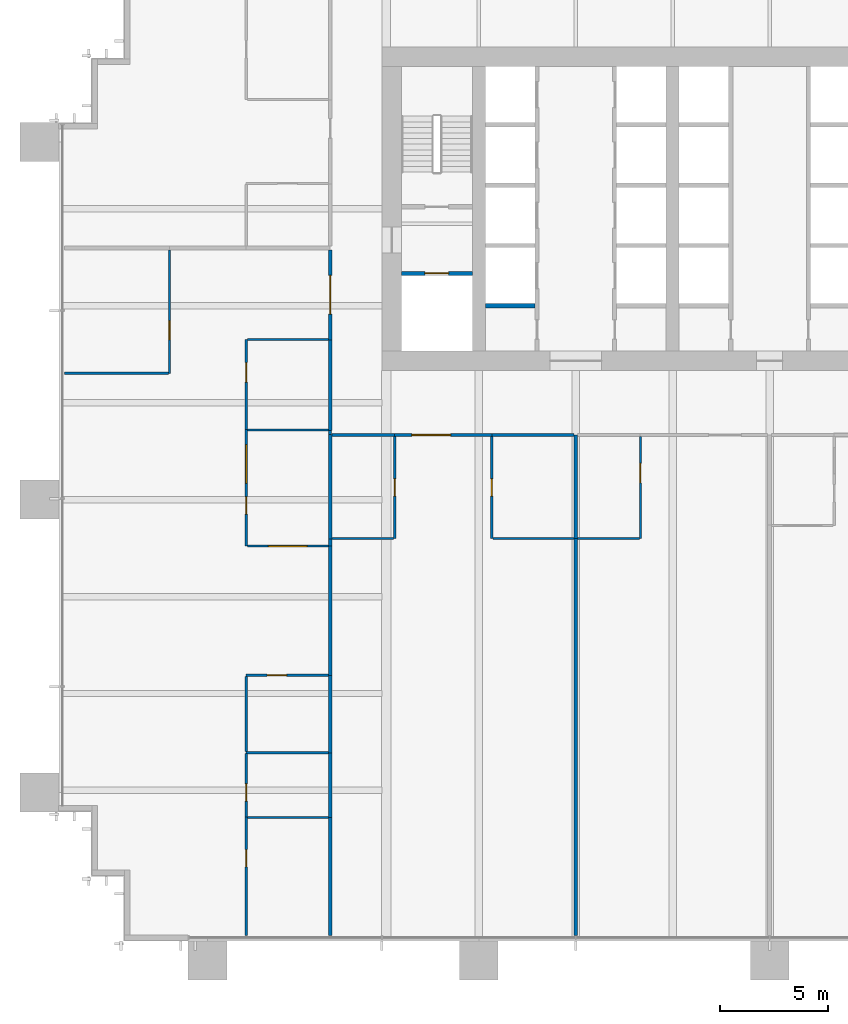
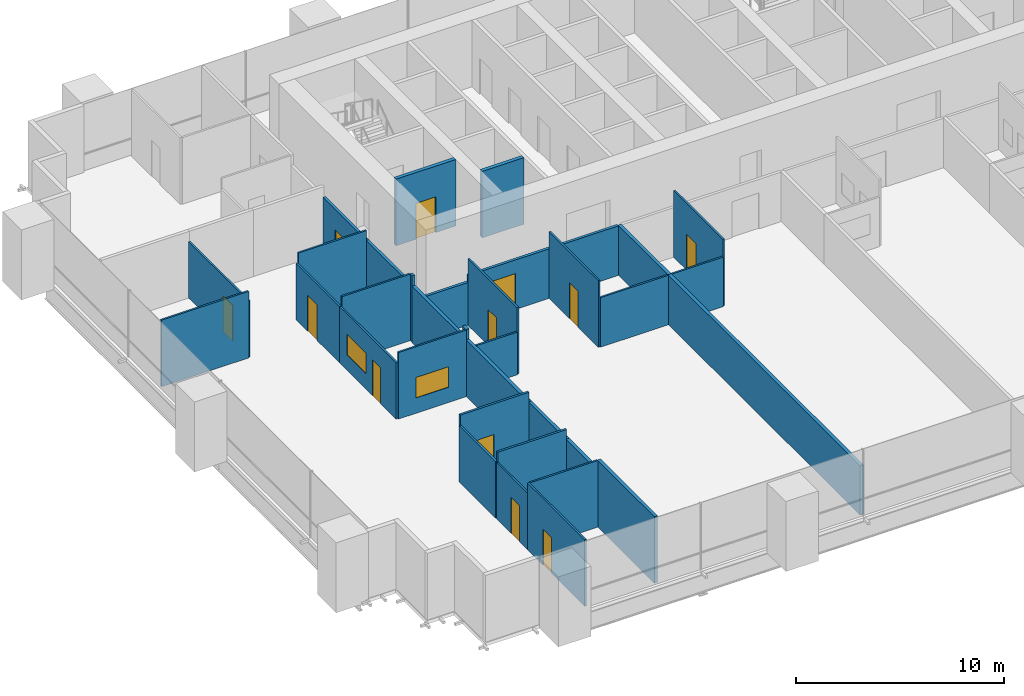
# One storey, part 11 of 18: 35 walls, 12 doors, 2 windows, 14 openings.
"""IFC4 building model written with IfcOpenShell, lengths in metres."""

from ifc_helpers import new_model, si_unit, direction, frame, frame_2d, origin, place, context, subcontext, project, spatial, rectangle, extrude, material, layer, layer_set, type_object, element, fill, save


model = new_model("IFC4")

# Units and contexts
model_context = context("Model", 3, precision=1e-05, world=origin(), true_north=direction((0.0, 1.0)))
body_context = subcontext(model_context, "Body", "Model", "MODEL_VIEW")
ifc_project = project(units=[si_unit("LENGTHUNIT", "METRE"), si_unit("AREAUNIT", "SQUARE_METRE"), si_unit("VOLUMEUNIT", "CUBIC_METRE"), si_unit("PLANEANGLEUNIT", "RADIAN"), si_unit("MASSUNIT", "GRAM", prefix="KILO")], contexts=[model_context])

# Site, building, storey
site_placement = place(None, origin())
site = spatial("IfcSite", under=ifc_project, at=site_placement, CompositionType="ELEMENT")
building_placement = place(site_placement, origin())
building = spatial("IfcBuilding", under=site, at=building_placement, Name="Rattan Terrace Tower", CompositionType="ELEMENT")
storey_placement = place(building_placement, frame((0.0, 0.0, 36.5)))
storey = spatial("IfcBuildingStorey", under=building, at=storey_placement, Name="L07", CompositionType="ELEMENT", Elevation=36.5)

# Wall, opening, door
ifc_material_1 = material(Name="Gypsum board partition")
ifc_layer_1 = layer(ifc_material_1, 0.199951171875)
ifc_layer_set_1 = layer_set([ifc_layer_1], Name="Core partition 200")
wall_type_1 = type_object("IfcWallType", Name="Core partition 200", PredefinedType="PARTITIONING", material=ifc_layer_set_1)
wall_1_placement = place(storey_placement, frame((-17.10009765625, -3.0, 0.0), z_axis=(0.0, 0.0, 1.0), x_axis=(1.0, 0.0, 0.0)))
wall_1 = element("IfcWall", 1, at=wall_1_placement, inside=storey, type_object=wall_type_1, Name="Fire-fighting lobby wall", PredefinedType="PARTITIONING", context=body_context, shape_type="SweptSolid", body=[
    extrude(rectangle(XDim=3.300048828125, YDim=0.199951171875, at=frame_2d((1.64990234375, 0.0))), origin(), (0.0, 0.0, 1.0), 3.89990234375),
])
opening_1_placement = place(wall_1_placement, frame((1.10009765625, 0.0, 0.0)))
opening_1 = element("IfcOpeningElement", 2, at=opening_1_placement, cuts=wall_1, Name="Opening L07-LD-FF1", PredefinedType="OPENING", context=body_context, shape_type="SweptSolid", body=[
    extrude(rectangle(XDim=1.10009765625, YDim=2.10009765625, at=frame_2d((0.550048828125, 1.050048828125))), frame((0.0, 0.110595703125, 0.0), z_axis=(0.0, -1.0, 0.0), x_axis=(1.0, 0.0, 0.0)), (0.0, 0.0, 1.0), 0.220947265625),
])
ifc_material_2 = material(Name="Brushed stainless landing door panel")
door_type_1 = type_object("IfcDoorType", Name="Core lift landing door 1100", OperationType="DOUBLE_DOOR_SLIDING", PredefinedType="DOOR", material=ifc_material_2)
door_1_placement = place(opening_1_placement, origin())
door_1 = element("IfcDoor", 3, at=door_1_placement, inside=storey, type_object=door_type_1, Name="Door L07-LD-FF1", OperationType="DOUBLE_DOOR_SLIDING", OverallHeight=2.10009765625, OverallWidth=1.10009765625, PredefinedType="DOOR", context=body_context, shape_type="SweptSolid", body=[
    extrude(rectangle(XDim=1.10009765625, YDim=2.10009765625, at=frame_2d((0.550048828125, 1.050048828125))), frame((0.0, 0.02490234375, 0.0), z_axis=(0.0, -1.0, 0.0), x_axis=(1.0, 0.0, 0.0)), (0.0, 0.0, 1.0), 0.050048828125),
])
fill(opening_1, door_1)

# Walls
ifc_material_3 = material(Name="Double steel stud acoustic partition, gypsum board, mineral wool, fire rated", Category="steel")
ifc_layer_2 = layer(ifc_material_3, 0.179931640625)
ifc_layer_set_2 = layer_set([ifc_layer_2], Name="Floors Acoustic Party Wall 180")
wall_type_2 = type_object("IfcWallType", Name="Floors Acoustic Party Wall 180", PredefinedType="PARTITIONING", material=ifc_layer_set_2)
wall_2_placement = place(storey_placement, frame((-20.39990234375, -15.659912109375, 0.0), z_axis=(0.0, 0.0, 1.0), x_axis=(0.0, -1.0, 0.0)))
element("IfcWall", 4, at=wall_2_placement, inside=storey, type_object=wall_type_2, Name="pt-L07-034", PredefinedType="PARTITIONING", context=body_context, shape_type="SweptSolid", body=[
    extrude(rectangle(XDim=6.0, YDim=0.179931640625, at=frame_2d((3.0, 0.0))), origin(), (0.0, 0.0, 1.0), 3.300048828125),
])
wall_3_placement = place(storey_placement, frame((-20.39990234375, -28.260009765625, 0.0), z_axis=(0.0, 0.0, 1.0), x_axis=(0.0, -1.0, 0.0)))
element("IfcWall", 5, at=wall_3_placement, inside=storey, type_object=wall_type_2, Name="pt-L07-037", PredefinedType="PARTITIONING", context=body_context, shape_type="SweptSolid", body=[
    extrude(rectangle(XDim=5.47998046875, YDim=0.179931640625, at=frame_2d((2.739990234375, 0.0))), origin(), (0.0, 0.0, 1.0), 3.89990234375),
])
wall_4_placement = place(storey_placement, frame((-20.39990234375, -25.260009765625, 0.0), z_axis=(0.0, 0.0, 1.0), x_axis=(0.0, -1.0, 0.0)))
element("IfcWall", 6, at=wall_4_placement, inside=storey, type_object=wall_type_2, Name="pt-L07-039", PredefinedType="PARTITIONING", context=body_context, shape_type="SweptSolid", body=[
    extrude(rectangle(XDim=3.0, YDim=0.179931640625, at=frame_2d((1.5, 0.0))), origin(), (0.0, 0.0, 1.0), 3.300048828125),
])
wall_5_placement = place(storey_placement, frame((-20.39990234375, -21.659912109375, 0.0), z_axis=(0.0, 0.0, 1.0), x_axis=(0.0, -1.0, 0.0)))
element("IfcWall", 7, at=wall_5_placement, inside=storey, type_object=wall_type_2, Name="pt-L07-040", PredefinedType="PARTITIONING", context=body_context, shape_type="SweptSolid", body=[
    extrude(rectangle(XDim=3.60009765625, YDim=0.179931640625, at=frame_2d((1.800048828125, 0.0))), origin(), (0.0, 0.0, 1.0), 3.300048828125),
])
wall_6_placement = place(storey_placement, frame((-20.39990234375, -15.320068359375, 0.0), z_axis=(0.0, 0.0, 1.0), x_axis=(0.0, -1.0, 0.0)))
element("IfcWall", 8, at=wall_6_placement, inside=storey, type_object=wall_type_2, Name="pt-L07-042", PredefinedType="PARTITIONING", context=body_context, shape_type="SweptSolid", body=[
    extrude(rectangle(XDim=0.33984375, YDim=0.179931640625, at=frame_2d((0.169921875, 0.0))), origin(), (0.0, 0.0, 1.0), 3.89990234375),
])
wall_7_placement = place(storey_placement, frame((-20.39990234375, -10.47998046875, 0.0), z_axis=(0.0, 0.0, 1.0), x_axis=(0.0, -1.0, 0.0)))
element("IfcWall", 9, at=wall_7_placement, inside=storey, type_object=wall_type_2, Name="pt-L07-043", PredefinedType="PARTITIONING", context=body_context, shape_type="SweptSolid", body=[
    extrude(rectangle(XDim=4.840087890625, YDim=0.179931640625, at=frame_2d((2.419921875, 0.0))), origin(), (0.0, 0.0, 1.0), 3.300048828125),
])
wall_8_placement = place(storey_placement, frame((-9.0, -15.300048828125, 0.0), z_axis=(0.0, 0.0, 1.0), x_axis=(0.0, -1.0, 0.0)))
element("IfcWall", 10, at=wall_8_placement, inside=storey, type_object=wall_type_2, Name="pt-L07-052", PredefinedType="PARTITIONING", context=body_context, shape_type="SweptSolid", body=[
    extrude(rectangle(XDim=18.43994140625, YDim=0.179931640625, at=frame_2d((9.219970703125, 0.0))), origin(), (0.0, 0.0, 1.0), 2.89990234375),
])
wall_9_placement = place(storey_placement, frame((-9.0, -10.5, 0.0), z_axis=(0.0, 0.0, 1.0), x_axis=(0.0, -1.0, 0.0)))
element("IfcWall", 11, at=wall_9_placement, inside=storey, type_object=wall_type_2, Name="pt-L07-053", PredefinedType="PARTITIONING", context=body_context, shape_type="SweptSolid", body=[
    extrude(rectangle(XDim=4.800048828125, YDim=0.179931640625, at=frame_2d((2.39990234375, 0.0))), origin(), (0.0, 0.0, 1.0), 2.89990234375),
])
ifc_material_4 = material(Name="Gypsum board partition on steel studs", Category="steel")
ifc_layer_3 = layer(ifc_material_4, 0.10009765625)
ifc_layer_set_3 = layer_set([ifc_layer_3], Name="Floors Partition 100")
wall_type_3 = type_object("IfcWallType", Name="Floors Partition 100", PredefinedType="PARTITIONING", material=ifc_layer_set_3)
wall_10_placement = place(storey_placement, frame((-32.739990234375, -7.635986328125, 0.0), z_axis=(0.0, 0.0, 1.0), x_axis=(1.0, 0.0, 0.0)))
element("IfcWall", 12, at=wall_10_placement, inside=storey, type_object=wall_type_3, Name="pt-L07-022", PredefinedType="PARTITIONING", context=body_context, shape_type="SweptSolid", body=[
    extrude(rectangle(XDim=4.830078125, YDim=0.10009765625, at=frame_2d((2.4150390625, 0.0))), origin(), (0.0, 0.0, 1.0), 3.89990234375),
])

# Wall, opening, door
wall_11_placement = place(storey_placement, frame((-27.860107421875, -7.635986328125, 0.0), z_axis=(0.0, 0.0, 1.0), x_axis=(0.0, 1.0, 0.0)))
wall_11 = element("IfcWall", 13, at=wall_11_placement, inside=storey, type_object=wall_type_3, Name="pt-L07-023", PredefinedType="PARTITIONING", context=body_context, shape_type="SweptSolid", body=[
    extrude(rectangle(XDim=5.72802734375, YDim=0.10009765625, at=frame_2d((2.864013671875, 0.0))), origin(), (0.0, 0.0, 1.0), 3.300048828125),
])
opening_2_placement = place(wall_11_placement, frame((1.548095703125, 0.0, 0.0)))
opening_2 = element("IfcOpeningElement", 14, at=opening_2_placement, cuts=wall_11, Name="Opening L07-D101", PredefinedType="OPENING", context=body_context, shape_type="SweptSolid", body=[
    extrude(rectangle(XDim=0.89990234375, YDim=2.10009765625, at=frame_2d((0.449951171875, 1.050048828125))), frame((0.0, 0.060546875, 0.0), z_axis=(0.0, -1.0, 0.0), x_axis=(1.0, 0.0, 0.0)), (0.0, 0.0, 1.0), 0.12109375),
])
ifc_material_5 = material(Name="Solid core timber door, painted", Category="wood")
door_type_2 = type_object("IfcDoorType", Name="Floors Door 900x2100", OperationType="NOTDEFINED", PredefinedType="DOOR", material=ifc_material_5)
door_2_placement = place(opening_2_placement, origin())
door_2 = element("IfcDoor", 15, at=door_2_placement, inside=storey, type_object=door_type_2, Name="d-L07-101", OperationType="SINGLE_SWING_LEFT", OverallHeight=2.10009765625, OverallWidth=0.89990234375, PredefinedType="DOOR", context=body_context, shape_type="SweptSolid", body=[
    extrude(rectangle(XDim=0.89990234375, YDim=2.10009765625, at=frame_2d((0.449951171875, 1.050048828125))), frame((0.0, 0.02490234375, 0.0), z_axis=(0.0, -1.0, 0.0), x_axis=(1.0, 0.0, 0.0)), (0.0, 0.0, 1.0), 0.050048828125),
])
fill(opening_2, door_2)

wall_12_placement = place(storey_placement, frame((-24.300048828125, -28.239990234375, 0.0), z_axis=(0.0, 0.0, 1.0), x_axis=(0.0, -1.0, 0.0)))
wall_12 = element("IfcWall", 16, at=wall_12_placement, inside=storey, type_object=wall_type_3, Name="pt-L07-024", PredefinedType="PARTITIONING", context=body_context, shape_type="SweptSolid", body=[
    extrude(rectangle(XDim=5.5, YDim=0.10009765625, at=frame_2d((2.75, 0.0))), origin(), (0.0, 0.0, 1.0), 3.89990234375),
])
opening_3_placement = place(wall_12_placement, frame((1.510009765625, 0.0, 0.0)))
opening_3 = element("IfcOpeningElement", 17, at=opening_3_placement, cuts=wall_12, Name="Opening L07-D102", PredefinedType="OPENING", context=body_context, shape_type="SweptSolid", body=[
    extrude(rectangle(XDim=0.800048828125, YDim=2.10009765625, at=frame_2d((0.39990234375, 1.050048828125))), frame((0.0, 0.060546875, 0.0), z_axis=(0.0, -1.0, 0.0), x_axis=(1.0, 0.0, 0.0)), (0.0, 0.0, 1.0), 0.12109375),
])
ifc_material_6 = material(Name="Solid core timber door, painted", Category="wood")
door_type_3 = type_object("IfcDoorType", Name="Floors Store Door 800x2100", OperationType="NOTDEFINED", PredefinedType="DOOR", material=ifc_material_6)
door_3_placement = place(opening_3_placement, origin())
door_3 = element("IfcDoor", 18, at=door_3_placement, inside=storey, type_object=door_type_3, Name="d-L07-102", OperationType="SINGLE_SWING_LEFT", OverallHeight=2.10009765625, OverallWidth=0.800048828125, PredefinedType="DOOR", context=body_context, shape_type="SweptSolid", body=[
    extrude(rectangle(XDim=0.800048828125, YDim=2.10009765625, at=frame_2d((0.39990234375, 1.050048828125))), frame((0.0, 0.02490234375, 0.0), z_axis=(0.0, -1.0, 0.0), x_axis=(1.0, 0.0, 0.0)), (0.0, 0.0, 1.0), 0.050048828125),
])
fill(opening_3, door_3)

wall_13_placement = place(storey_placement, frame((-24.300048828125, -25.280029296875, 0.0), z_axis=(0.0, 0.0, 1.0), x_axis=(0.0, -1.0, 0.0)))
wall_13 = element("IfcWall", 19, at=wall_13_placement, inside=storey, type_object=wall_type_3, Name="pt-L07-025", PredefinedType="PARTITIONING", context=body_context, shape_type="SweptSolid", body=[
    extrude(rectangle(XDim=2.9599609375, YDim=0.10009765625, at=frame_2d((1.47998046875, 0.0))), origin(), (0.0, 0.0, 1.0), 3.300048828125),
])
opening_4_placement = place(wall_13_placement, frame((1.412109375, 0.0, 0.0)))
opening_4 = element("IfcOpeningElement", 20, at=opening_4_placement, cuts=wall_13, Name="Opening L07-D103", PredefinedType="OPENING", context=body_context, shape_type="SweptSolid", body=[
    extrude(rectangle(XDim=0.800048828125, YDim=2.10009765625, at=frame_2d((0.39990234375, 1.050048828125))), frame((0.0, 0.060546875, 0.0), z_axis=(0.0, -1.0, 0.0), x_axis=(1.0, 0.0, 0.0)), (0.0, 0.0, 1.0), 0.12109375),
])
door_4_placement = place(opening_4_placement, origin())
door_4 = element("IfcDoor", 21, at=door_4_placement, inside=storey, type_object=door_type_3, Name="d-L07-103", OperationType="SINGLE_SWING_RIGHT", OverallHeight=2.10009765625, OverallWidth=0.800048828125, PredefinedType="DOOR", context=body_context, shape_type="SweptSolid", body=[
    extrude(rectangle(XDim=0.800048828125, YDim=2.10009765625, at=frame_2d((0.39990234375, 1.050048828125))), frame((0.0, 0.02490234375, 0.0), z_axis=(0.0, -1.0, 0.0), x_axis=(1.0, 0.0, 0.0)), (0.0, 0.0, 1.0), 0.050048828125),
])
fill(opening_4, door_4)

# Wall, openings, door, window
wall_14_placement = place(storey_placement, frame((-24.300048828125, -10.239990234375, 0.0), z_axis=(0.0, 0.0, 1.0), x_axis=(0.0, -1.0, 0.0)))
wall_14 = element("IfcWall", 22, at=wall_14_placement, inside=storey, type_object=wall_type_3, Name="pt-L07-028", PredefinedType="PARTITIONING", context=body_context, shape_type="SweptSolid", body=[
    extrude(rectangle(XDim=5.419921875, YDim=0.10009765625, at=frame_2d((2.7099609375, 0.0))), origin(), (0.0, 0.0, 1.0), 3.300048828125),
])
opening_5_placement = place(wall_14_placement, frame((3.134033203125, 0.0, 0.0)))
opening_5 = element("IfcOpeningElement", 23, at=opening_5_placement, cuts=wall_14, Name="Opening L07-D105", PredefinedType="OPENING", context=body_context, shape_type="SweptSolid", body=[
    extrude(rectangle(XDim=0.800048828125, YDim=2.10009765625, at=frame_2d((0.39990234375, 1.050048828125))), frame((0.0, 0.060546875, 0.0), z_axis=(0.0, -1.0, 0.0), x_axis=(1.0, 0.0, 0.0)), (0.0, 0.0, 1.0), 0.12109375),
])
opening_6_placement = place(wall_14_placement, frame((0.701904296875, 0.0, 0.89990234375)))
opening_6 = element("IfcOpeningElement", 24, at=opening_6_placement, cuts=wall_14, Name="Opening L07-W100", PredefinedType="OPENING", context=body_context, shape_type="SweptSolid", body=[
    extrude(rectangle(XDim=1.800048828125, YDim=1.199951171875, at=frame_2d((0.89990234375, 0.60009765625))), frame((0.0, 0.060546875, 0.0), z_axis=(0.0, -1.0, 0.0), x_axis=(1.0, 0.0, 0.0)), (0.0, 0.0, 1.0), 0.12109375),
])
door_5_placement = place(opening_5_placement, origin())
door_5 = element("IfcDoor", 25, at=door_5_placement, inside=storey, type_object=door_type_3, Name="d-L07-105", OperationType="SINGLE_SWING_RIGHT", OverallHeight=2.10009765625, OverallWidth=0.800048828125, PredefinedType="DOOR", context=body_context, shape_type="SweptSolid", body=[
    extrude(rectangle(XDim=0.800048828125, YDim=2.10009765625, at=frame_2d((0.39990234375, 1.050048828125))), frame((0.0, 0.02490234375, 0.0), z_axis=(0.0, -1.0, 0.0), x_axis=(1.0, 0.0, 0.0)), (0.0, 0.0, 1.0), 0.050048828125),
])
fill(opening_5, door_5)
ifc_material_7 = material(Name="Glass, clear, fixed in aluminium frame", Category="aluminium")
window_type = type_object("IfcWindowType", Name="Interior Vision Window 1800x1200", PartitioningType="SINGLE_PANEL", PredefinedType="WINDOW", material=ifc_material_7)
window_1_placement = place(opening_6_placement, origin())
window_1 = element("IfcWindow", 26, at=window_1_placement, inside=storey, type_object=window_type, Name="w-L07-100", OverallHeight=1.199951171875, OverallWidth=1.800048828125, PartitioningType="SINGLE_PANEL", PredefinedType="WINDOW", context=body_context, shape_type="SweptSolid", body=[
    extrude(rectangle(XDim=1.800048828125, YDim=1.199951171875, at=frame_2d((0.89990234375, 0.60009765625))), frame((0.0, 0.030029296875, 0.0), z_axis=(0.0, -1.0, 0.0), x_axis=(1.0, 0.0, 0.0)), (0.0, 0.0, 1.0), 0.06005859375),
])
fill(opening_6, window_1)

# Wall, opening, window
wall_15_placement = place(storey_placement, frame((-24.25, -15.659912109375, 0.0), z_axis=(0.0, 0.0, 1.0), x_axis=(1.0, 0.0, 0.0)))
wall_15 = element("IfcWall", 27, at=wall_15_placement, inside=storey, type_object=wall_type_3, Name="pt-L07-029", PredefinedType="PARTITIONING", context=body_context, shape_type="SweptSolid", body=[
    extrude(rectangle(XDim=3.760009765625, YDim=0.10009765625, at=frame_2d((1.8798828125, 0.0))), origin(), (0.0, 0.0, 1.0), 3.89990234375),
])
opening_7_placement = place(wall_15_placement, frame((0.97998046875, 0.0, 0.89990234375)))
opening_7 = element("IfcOpeningElement", 28, at=opening_7_placement, cuts=wall_15, Name="Opening L07-W101", PredefinedType="OPENING", context=body_context, shape_type="SweptSolid", body=[
    extrude(rectangle(XDim=1.800048828125, YDim=1.199951171875, at=frame_2d((0.89990234375, 0.60009765625))), frame((0.0, 0.060546875, 0.0), z_axis=(0.0, -1.0, 0.0), x_axis=(1.0, 0.0, 0.0)), (0.0, 0.0, 1.0), 0.12109375),
])
window_2_placement = place(opening_7_placement, origin())
window_2 = element("IfcWindow", 29, at=window_2_placement, inside=storey, type_object=window_type, Name="w-L07-101", OverallHeight=1.199951171875, OverallWidth=1.800048828125, PartitioningType="SINGLE_PANEL", PredefinedType="WINDOW", context=body_context, shape_type="SweptSolid", body=[
    extrude(rectangle(XDim=1.800048828125, YDim=1.199951171875, at=frame_2d((0.89990234375, 0.60009765625))), frame((0.0, 0.030029296875, 0.0), z_axis=(0.0, -1.0, 0.0), x_axis=(1.0, 0.0, 0.0)), (0.0, 0.0, 1.0), 0.06005859375),
])
fill(opening_7, window_2)

# Wall, opening, door
wall_16_placement = place(storey_placement, frame((-24.300048828125, -6.06005859375, 0.0), z_axis=(0.0, 0.0, 1.0), x_axis=(0.0, -1.0, 0.0)))
wall_16 = element("IfcWall", 30, at=wall_16_placement, inside=storey, type_object=wall_type_3, Name="pt-L07-030", PredefinedType="PARTITIONING", context=body_context, shape_type="SweptSolid", body=[
    extrude(rectangle(XDim=4.179931640625, YDim=0.10009765625, at=frame_2d((2.08984375, 0.0))), origin(), (0.0, 0.0, 1.0), 3.300048828125),
])
opening_8_placement = place(wall_16_placement, frame((1.083984375, 0.0, 0.0)))
opening_8 = element("IfcOpeningElement", 31, at=opening_8_placement, cuts=wall_16, Name="Opening L07-D106", PredefinedType="OPENING", context=body_context, shape_type="SweptSolid", body=[
    extrude(rectangle(XDim=0.89990234375, YDim=2.10009765625, at=frame_2d((0.449951171875, 1.050048828125))), frame((0.0, 0.060546875, 0.0), z_axis=(0.0, -1.0, 0.0), x_axis=(1.0, 0.0, 0.0)), (0.0, 0.0, 1.0), 0.12109375),
])
door_6_placement = place(opening_8_placement, origin())
door_6 = element("IfcDoor", 32, at=door_6_placement, inside=storey, type_object=door_type_2, Name="d-L07-106", OperationType="SINGLE_SWING_LEFT", OverallHeight=2.10009765625, OverallWidth=0.89990234375, PredefinedType="DOOR", context=body_context, shape_type="SweptSolid", body=[
    extrude(rectangle(XDim=0.89990234375, YDim=2.10009765625, at=frame_2d((0.449951171875, 1.050048828125))), frame((0.0, 0.02490234375, 0.0), z_axis=(0.0, -1.0, 0.0), x_axis=(1.0, 0.0, 0.0)), (0.0, 0.0, 1.0), 0.050048828125),
])
fill(opening_8, door_6)

# Walls
wall_17_placement = place(storey_placement, frame((-20.47509765625, -6.06005859375, 0.0), z_axis=(0.0, 0.0, 1.0), x_axis=(-1.0, 0.0, 0.0)))
element("IfcWall", 33, at=wall_17_placement, inside=storey, type_object=wall_type_3, Name="pt-L07-031", PredefinedType="PARTITIONING", context=body_context, shape_type="SweptSolid", body=[
    extrude(rectangle(XDim=3.77490234375, YDim=0.10009765625, at=frame_2d((1.887451171875, 0.0))), origin(), (0.0, 0.0, 1.0), 3.89990234375),
])
wall_18_placement = place(storey_placement, frame((-24.25, -28.260009765625, 0.0), z_axis=(0.0, 0.0, 1.0), x_axis=(1.0, 0.0, 0.0)))
element("IfcWall", 34, at=wall_18_placement, inside=storey, type_object=wall_type_3, Name="pt-L07-036", PredefinedType="PARTITIONING", context=body_context, shape_type="SweptSolid", body=[
    extrude(rectangle(XDim=3.760009765625, YDim=0.10009765625, at=frame_2d((1.8798828125, 0.0))), origin(), (0.0, 0.0, 1.0), 3.89990234375),
])
wall_19_placement = place(storey_placement, frame((-24.25, -10.260009765625, 0.0), z_axis=(0.0, 0.0, 1.0), x_axis=(1.0, 0.0, 0.0)))
element("IfcWall", 35, at=wall_19_placement, inside=storey, type_object=wall_type_3, Name="pt-L07-041", PredefinedType="PARTITIONING", context=body_context, shape_type="SweptSolid", body=[
    extrude(rectangle(XDim=3.77490234375, YDim=0.10009765625, at=frame_2d((1.887451171875, 0.0))), origin(), (0.0, 0.0, 1.0), 3.89990234375),
])
wall_20_placement = place(storey_placement, frame((-20.31005859375, -15.300048828125, 0.0), z_axis=(0.0, 0.0, 1.0), x_axis=(1.0, 0.0, 0.0)))
element("IfcWall", 36, at=wall_20_placement, inside=storey, type_object=wall_type_3, Name="pt-L07-048", PredefinedType="PARTITIONING", context=body_context, shape_type="SweptSolid", body=[
    extrude(rectangle(XDim=2.860107421875, YDim=0.10009765625, at=frame_2d((1.43017578125, 0.0))), origin(), (0.0, 0.0, 1.0), 2.5),
])

# Wall, opening, door
wall_21_placement = place(storey_placement, frame((-17.39990234375, -15.300048828125, 0.0), z_axis=(0.0, 0.0, 1.0), x_axis=(0.0, 1.0, 0.0)))
wall_21 = element("IfcWall", 37, at=wall_21_placement, inside=storey, type_object=wall_type_3, Name="pt-L07-049", PredefinedType="PARTITIONING", context=body_context, shape_type="SweptSolid", body=[
    extrude(rectangle(XDim=4.72509765625, YDim=0.10009765625, at=frame_2d((2.362548828125, 0.0))), origin(), (0.0, 0.0, 1.0), 3.89990234375),
])
opening_9_placement = place(wall_21_placement, frame((1.962890625, 0.0, 0.0)))
opening_9 = element("IfcOpeningElement", 38, at=opening_9_placement, cuts=wall_21, Name="Opening L07-D111", PredefinedType="OPENING", context=body_context, shape_type="SweptSolid", body=[
    extrude(rectangle(XDim=0.800048828125, YDim=2.10009765625, at=frame_2d((0.39990234375, 1.050048828125))), frame((0.0, 0.060546875, 0.0), z_axis=(0.0, -1.0, 0.0), x_axis=(1.0, 0.0, 0.0)), (0.0, 0.0, 1.0), 0.12109375),
])
door_7_placement = place(opening_9_placement, origin())
door_7 = element("IfcDoor", 39, at=door_7_placement, inside=storey, type_object=door_type_3, Name="d-L07-111", OperationType="SINGLE_SWING_RIGHT", OverallHeight=2.10009765625, OverallWidth=0.800048828125, PredefinedType="DOOR", context=body_context, shape_type="SweptSolid", body=[
    extrude(rectangle(XDim=0.800048828125, YDim=2.10009765625, at=frame_2d((0.39990234375, 1.050048828125))), frame((0.0, 0.02490234375, 0.0), z_axis=(0.0, -1.0, 0.0), x_axis=(1.0, 0.0, 0.0)), (0.0, 0.0, 1.0), 0.050048828125),
])
fill(opening_9, door_7)

wall_22_placement = place(storey_placement, frame((-12.89990234375, -10.574951171875, 0.0), z_axis=(0.0, 0.0, 1.0), x_axis=(0.0, -1.0, 0.0)))
wall_22 = element("IfcWall", 40, at=wall_22_placement, inside=storey, type_object=wall_type_3, Name="pt-L07-050", PredefinedType="PARTITIONING", context=body_context, shape_type="SweptSolid", body=[
    extrude(rectangle(XDim=4.72509765625, YDim=0.10009765625, at=frame_2d((2.362548828125, 0.0))), origin(), (0.0, 0.0, 1.0), 3.89990234375),
])
opening_10_placement = place(wall_22_placement, frame((1.962890625, 0.0, 0.0)))
opening_10 = element("IfcOpeningElement", 41, at=opening_10_placement, cuts=wall_22, Name="Opening L07-D112", PredefinedType="OPENING", context=body_context, shape_type="SweptSolid", body=[
    extrude(rectangle(XDim=0.800048828125, YDim=2.10009765625, at=frame_2d((0.39990234375, 1.050048828125))), frame((0.0, 0.060546875, 0.0), z_axis=(0.0, -1.0, 0.0), x_axis=(1.0, 0.0, 0.0)), (0.0, 0.0, 1.0), 0.12109375),
])
door_8_placement = place(opening_10_placement, origin())
door_8 = element("IfcDoor", 42, at=door_8_placement, inside=storey, type_object=door_type_3, Name="d-L07-112", OperationType="SINGLE_SWING_LEFT", OverallHeight=2.10009765625, OverallWidth=0.800048828125, PredefinedType="DOOR", context=body_context, shape_type="SweptSolid", body=[
    extrude(rectangle(XDim=0.800048828125, YDim=2.10009765625, at=frame_2d((0.39990234375, 1.050048828125))), frame((0.0, 0.02490234375, 0.0), z_axis=(0.0, -1.0, 0.0), x_axis=(1.0, 0.0, 0.0)), (0.0, 0.0, 1.0), 0.050048828125),
])
fill(opening_10, door_8)

# Walls
wall_23_placement = place(storey_placement, frame((-12.85009765625, -15.300048828125, 0.0), z_axis=(0.0, 0.0, 1.0), x_axis=(1.0, 0.0, 0.0)))
element("IfcWall", 43, at=wall_23_placement, inside=storey, type_object=wall_type_3, Name="pt-L07-051", PredefinedType="PARTITIONING", context=body_context, shape_type="SweptSolid", body=[
    extrude(rectangle(XDim=3.760009765625, YDim=0.10009765625, at=frame_2d((1.8798828125, 0.0))), origin(), (0.0, 0.0, 1.0), 2.89990234375),
])
wall_24_placement = place(storey_placement, frame((-8.909912109375, -15.300048828125, 0.0), z_axis=(0.0, 0.0, 1.0), x_axis=(1.0, 0.0, 0.0)))
element("IfcWall", 44, at=wall_24_placement, inside=storey, type_object=wall_type_3, Name="pt-L07-054", PredefinedType="PARTITIONING", context=body_context, shape_type="SweptSolid", body=[
    extrude(rectangle(XDim=2.85986328125, YDim=0.10009765625, at=frame_2d((1.429931640625, 0.0))), origin(), (0.0, 0.0, 1.0), 2.89990234375),
])

# Wall, opening, door
wall_25_placement = place(storey_placement, frame((-6.0, -15.300048828125, 0.0), z_axis=(0.0, 0.0, 1.0), x_axis=(0.0, 1.0, 0.0)))
wall_25 = element("IfcWall", 45, at=wall_25_placement, inside=storey, type_object=wall_type_3, Name="pt-L07-055", PredefinedType="PARTITIONING", context=body_context, shape_type="SweptSolid", body=[
    extrude(rectangle(XDim=4.72509765625, YDim=0.10009765625, at=frame_2d((2.362548828125, 0.0))), origin(), (0.0, 0.0, 1.0), 3.89990234375),
])
opening_11_placement = place(wall_25_placement, frame((2.577880859375, 0.0, 0.0)))
opening_11 = element("IfcOpeningElement", 46, at=opening_11_placement, cuts=wall_25, Name="Opening L07-D114", PredefinedType="OPENING", context=body_context, shape_type="SweptSolid", body=[
    extrude(rectangle(XDim=0.89990234375, YDim=2.10009765625, at=frame_2d((0.449951171875, 1.050048828125))), frame((0.0, 0.060546875, 0.0), z_axis=(0.0, -1.0, 0.0), x_axis=(1.0, 0.0, 0.0)), (0.0, 0.0, 1.0), 0.12109375),
])
door_9_placement = place(opening_11_placement, origin())
door_9 = element("IfcDoor", 47, at=door_9_placement, inside=storey, type_object=door_type_2, Name="d-L07-114", OperationType="SINGLE_SWING_RIGHT", OverallHeight=2.10009765625, OverallWidth=0.89990234375, PredefinedType="DOOR", context=body_context, shape_type="SweptSolid", body=[
    extrude(rectangle(XDim=0.89990234375, YDim=2.10009765625, at=frame_2d((0.449951171875, 1.050048828125))), frame((0.0, 0.02490234375, 0.0), z_axis=(0.0, -1.0, 0.0), x_axis=(1.0, 0.0, 0.0)), (0.0, 0.0, 1.0), 0.050048828125),
])
fill(opening_11, door_9)

ifc_material_8 = material(Name="Gypsum board partition on steel studs, fire rated", Category="steel")
ifc_layer_4 = layer(ifc_material_8, 0.14990234375)
ifc_layer_set_4 = layer_set([ifc_layer_4], Name="Floors Tenancy Wall 150")
wall_type_4 = type_object("IfcWallType", Name="Floors Tenancy Wall 150", PredefinedType="PARTITIONING", material=ifc_layer_set_4)
wall_26_placement = place(storey_placement, frame((-20.39990234375, -6.080078125, 0.0), z_axis=(0.0, 0.0, 1.0), x_axis=(0.0, 1.0, 0.0)))
wall_26 = element("IfcWall", 48, at=wall_26_placement, inside=storey, type_object=wall_type_4, Name="pt-L07-001", PredefinedType="PARTITIONING", context=body_context, shape_type="SweptSolid", body=[
    extrude(rectangle(XDim=4.172119140625, YDim=0.14990234375, at=frame_2d((2.0859375, 0.0))), origin(), (0.0, 0.0, 1.0), 3.300048828125),
])
opening_12_placement = place(wall_26_placement, frame((1.18603515625, 0.0, 0.0)))
opening_12 = element("IfcOpeningElement", 49, at=opening_12_placement, cuts=wall_26, Name="Opening L07-D100", PredefinedType="OPENING", context=body_context, shape_type="SweptSolid", body=[
    extrude(rectangle(XDim=1.800048828125, YDim=2.10009765625, at=frame_2d((0.89990234375, 1.050048828125))), frame((0.0, 0.08544921875, 0.0), z_axis=(0.0, -1.0, 0.0), x_axis=(1.0, 0.0, 0.0)), (0.0, 0.0, 1.0), 0.1708984375),
])
ifc_material_9 = material(Name="Steel fire door set", Category="steel")
door_type_4 = type_object("IfcDoorType", Name="Floors Fire Door Pair FD30S 1800x2100", OperationType="NOTDEFINED", PredefinedType="DOOR", material=ifc_material_9)
door_10_placement = place(opening_12_placement, origin())
door_10 = element("IfcDoor", 50, at=door_10_placement, inside=storey, type_object=door_type_4, Name="d-L07-100", OperationType="DOUBLE_DOOR_SINGLE_SWING", OverallHeight=2.10009765625, OverallWidth=1.800048828125, PredefinedType="DOOR", context=body_context, shape_type="SweptSolid", body=[
    extrude(rectangle(XDim=1.800048828125, YDim=2.10009765625, at=frame_2d((0.89990234375, 1.050048828125))), frame((0.0, 0.02490234375, 0.0), z_axis=(0.0, -1.0, 0.0), x_axis=(1.0, 0.0, 0.0)), (0.0, 0.0, 1.0), 0.050048828125),
])
fill(opening_12, door_10)

# Walls
wall_27_placement = place(storey_placement, frame((-20.406005859375, -10.47998046875, 0.0), z_axis=(0.0, 0.0, 1.0), x_axis=(0.0, 1.0, 0.0)))
element("IfcWall", 51, at=wall_27_placement, inside=storey, type_object=wall_type_4, Name="pt-L07-002", PredefinedType="PARTITIONING", context=body_context, shape_type="SweptSolid", body=[
    extrude(rectangle(XDim=0.199951171875, YDim=0.14990234375, at=frame_2d((0.10009765625, 0.0))), origin(), (0.0, 0.0, 1.0), 3.89990234375),
])
wall_28_placement = place(storey_placement, frame((-20.39990234375, -10.280029296875, 0.0), z_axis=(0.0, 0.0, 1.0), x_axis=(0.0, 1.0, 0.0)))
element("IfcWall", 52, at=wall_28_placement, inside=storey, type_object=wall_type_4, Name="pt-L07-003", PredefinedType="PARTITIONING", context=body_context, shape_type="SweptSolid", body=[
    extrude(rectangle(XDim=4.199951171875, YDim=0.14990234375, at=frame_2d((2.10009765625, 0.0))), origin(), (0.0, 0.0, 1.0), 3.300048828125),
])

# Wall, opening, door
wall_29_placement = place(storey_placement, frame((-12.8798828125, -10.5, 0.0), z_axis=(0.0, 0.0, 1.0), x_axis=(-1.0, 0.0, 0.0)))
wall_29 = element("IfcWall", 53, at=wall_29_placement, inside=storey, type_object=wall_type_4, Name="pt-L07-007", PredefinedType="PARTITIONING", context=body_context, shape_type="SweptSolid", body=[
    extrude(rectangle(XDim=4.5400390625, YDim=0.14990234375, at=frame_2d((2.27001953125, 0.0))), origin(), (0.0, 0.0, 1.0), 2.89990234375),
])
opening_13_placement = place(wall_29_placement, frame((1.929931640625, 0.0, 0.0)))
opening_13 = element("IfcOpeningElement", 54, at=opening_13_placement, cuts=wall_29, Name="Opening L07-D110", PredefinedType="OPENING", context=body_context, shape_type="SweptSolid", body=[
    extrude(rectangle(XDim=1.800048828125, YDim=2.10009765625, at=frame_2d((0.89990234375, 1.050048828125))), frame((0.0, 0.08544921875, 0.0), z_axis=(0.0, -1.0, 0.0), x_axis=(1.0, 0.0, 0.0)), (0.0, 0.0, 1.0), 0.1708984375),
])
door_11_placement = place(opening_13_placement, origin())
door_11 = element("IfcDoor", 55, at=door_11_placement, inside=storey, type_object=door_type_4, Name="d-L07-110", OperationType="DOUBLE_DOOR_SINGLE_SWING", OverallHeight=2.10009765625, OverallWidth=1.800048828125, PredefinedType="DOOR", context=body_context, shape_type="SweptSolid", body=[
    extrude(rectangle(XDim=1.800048828125, YDim=2.10009765625, at=frame_2d((0.89990234375, 1.050048828125))), frame((0.0, 0.02490234375, 0.0), z_axis=(0.0, -1.0, 0.0), x_axis=(1.0, 0.0, 0.0)), (0.0, 0.0, 1.0), 0.050048828125),
])
fill(opening_13, door_11)

# Walls
wall_30_placement = place(storey_placement, frame((-17.419921875, -10.4990234375, 0.0), z_axis=(0.0, 0.0, 1.0), x_axis=(-1.0, 0.0, 0.0)))
element("IfcWall", 56, at=wall_30_placement, inside=storey, type_object=wall_type_4, Name="pt-L07-008", PredefinedType="PARTITIONING", context=body_context, shape_type="SweptSolid", body=[
    extrude(rectangle(XDim=2.89013671875, YDim=0.14990234375, at=frame_2d((1.445068359375, 0.0))), origin(), (0.0, 0.0, 1.0), 2.5),
])
wall_31_placement = place(storey_placement, frame((-9.090087890625, -10.4990234375, 0.0), z_axis=(0.0, 0.0, 1.0), x_axis=(-1.0, 0.0, 0.0)))
element("IfcWall", 57, at=wall_31_placement, inside=storey, type_object=wall_type_4, Name="pt-L07-009", PredefinedType="PARTITIONING", context=body_context, shape_type="SweptSolid", body=[
    extrude(rectangle(XDim=3.789794921875, YDim=0.14990234375, at=frame_2d((1.89501953125, 0.0))), origin(), (0.0, 0.0, 1.0), 2.89990234375),
])
ifc_material_10 = material(Name="Moisture resistant gypsum board partition on steel studs with service cavity", Category="steel")
ifc_layer_5 = layer(ifc_material_10, 0.1201171875)
ifc_layer_set_5 = layer_set([ifc_layer_5], Name="Floors Wet Wall 120")
wall_type_5 = type_object("IfcWallType", Name="Floors Wet Wall 120", PredefinedType="PARTITIONING", material=ifc_layer_set_5)
wall_32_placement = place(storey_placement, frame((-24.301025390625, -21.719970703125, 0.0), z_axis=(0.0, 0.0, 1.0), x_axis=(0.0, -1.0, 0.0)))
element("IfcWall", 58, at=wall_32_placement, inside=storey, type_object=wall_type_5, Name="pt-L07-026", PredefinedType="PARTITIONING", context=body_context, shape_type="SweptSolid", body=[
    extrude(rectangle(XDim=3.47998046875, YDim=0.1201171875, at=frame_2d((1.739990234375, 0.0))), origin(), (0.0, 0.0, 1.0), 3.300048828125),
])

# Wall, opening, door
wall_33_placement = place(storey_placement, frame((-20.489990234375, -21.659912109375, 0.0), z_axis=(0.0, 0.0, 1.0), x_axis=(-1.0, 0.0, 0.0)))
wall_33 = element("IfcWall", 59, at=wall_33_placement, inside=storey, type_object=wall_type_5, Name="pt-L07-027", PredefinedType="PARTITIONING", context=body_context, shape_type="SweptSolid", body=[
    extrude(rectangle(XDim=3.81005859375, YDim=0.1201171875, at=frame_2d((1.905029296875, 0.0))), origin(), (0.0, 0.0, 1.0), 3.89990234375),
])
opening_14_placement = place(wall_33_placement, frame((1.93701171875, 0.0, 0.0)))
opening_14 = element("IfcOpeningElement", 60, at=opening_14_placement, cuts=wall_33, Name="Opening L07-D104", PredefinedType="OPENING", context=body_context, shape_type="SweptSolid", body=[
    extrude(rectangle(XDim=0.89990234375, YDim=2.10009765625, at=frame_2d((0.449951171875, 1.050048828125))), frame((0.0, 0.070556640625, 0.0), z_axis=(0.0, -1.0, 0.0), x_axis=(1.0, 0.0, 0.0)), (0.0, 0.0, 1.0), 0.14111328125),
])
door_12_placement = place(opening_14_placement, origin())
door_12 = element("IfcDoor", 61, at=door_12_placement, inside=storey, type_object=door_type_2, Name="d-L07-104", OperationType="SINGLE_SWING_RIGHT", OverallHeight=2.10009765625, OverallWidth=0.89990234375, PredefinedType="DOOR", context=body_context, shape_type="SweptSolid", body=[
    extrude(rectangle(XDim=0.89990234375, YDim=2.10009765625, at=frame_2d((0.449951171875, 1.050048828125))), frame((0.0, 0.02490234375, 0.0), z_axis=(0.0, -1.0, 0.0), x_axis=(1.0, 0.0, 0.0)), (0.0, 0.0, 1.0), 0.050048828125),
])
fill(opening_14, door_12)

# Walls
wall_34_placement = place(storey_placement, frame((-24.300048828125, -25.260009765625, 0.0), z_axis=(0.0, 0.0, 1.0), x_axis=(1.0, 0.0, 0.0)))
element("IfcWall", 62, at=wall_34_placement, inside=storey, type_object=wall_type_5, Name="pt-L07-038", PredefinedType="PARTITIONING", context=body_context, shape_type="SweptSolid", body=[
    extrude(rectangle(XDim=3.81005859375, YDim=0.1201171875, at=frame_2d((1.905029296875, 0.0))), origin(), (0.0, 0.0, 1.0), 3.89990234375),
])
ifc_material_11 = material(Name="Gypsum shaft wall system")
ifc_layer_6 = layer(ifc_material_11, 0.199951171875)
ifc_layer_set_6 = layer_set([ifc_layer_6], Name="Lift shaft wall 200")
wall_type_6 = type_object("IfcWallType", Name="Lift shaft wall 200", PredefinedType="PARTITIONING", material=ifc_layer_set_6)
wall_35_placement = place(storey_placement, frame((-13.199951171875, -4.5, 0.0), z_axis=(0.0, 0.0, 1.0), x_axis=(1.0, 0.0, 0.0)))
element("IfcWall", 63, at=wall_35_placement, inside=storey, type_object=wall_type_6, Name="Lift shaft wall", PredefinedType="PARTITIONING", context=body_context, shape_type="SweptSolid", body=[
    extrude(rectangle(XDim=2.300048828125, YDim=0.199951171875, at=frame_2d((1.14990234375, 0.0))), origin(), (0.0, 0.0, 1.0), 3.89990234375),
])

save(model, "model.ifc")
